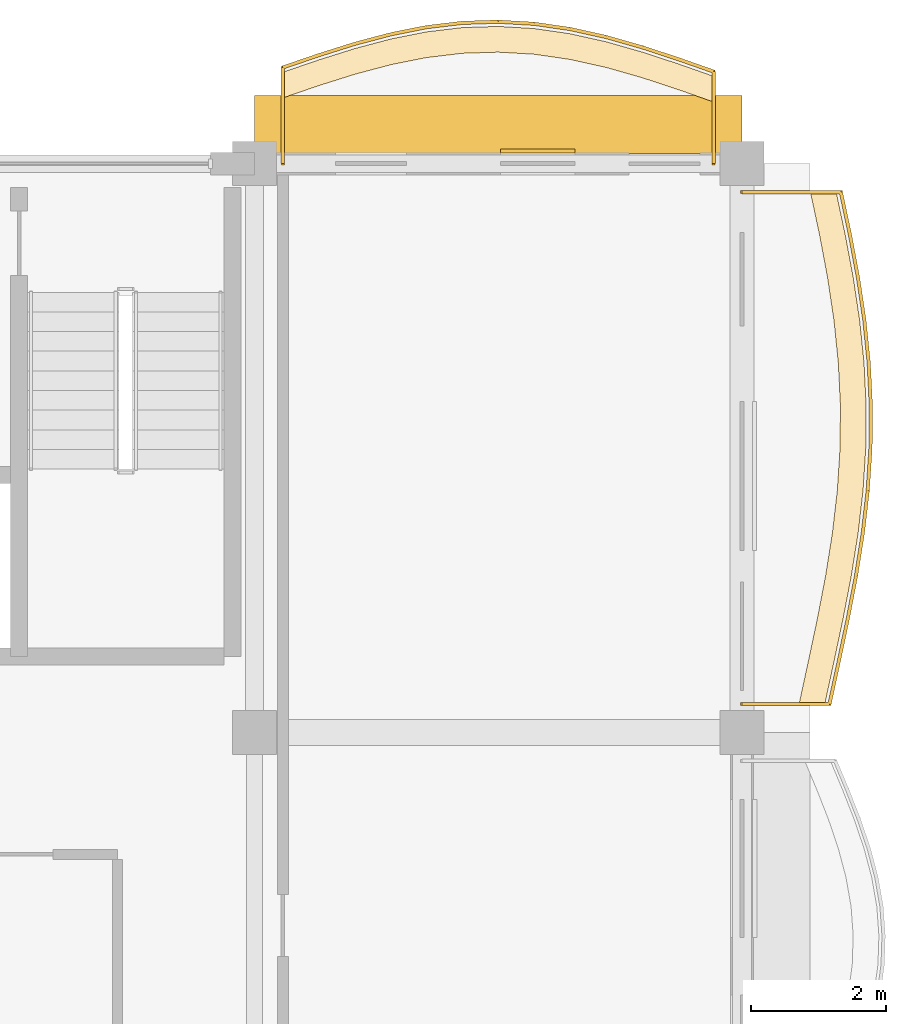
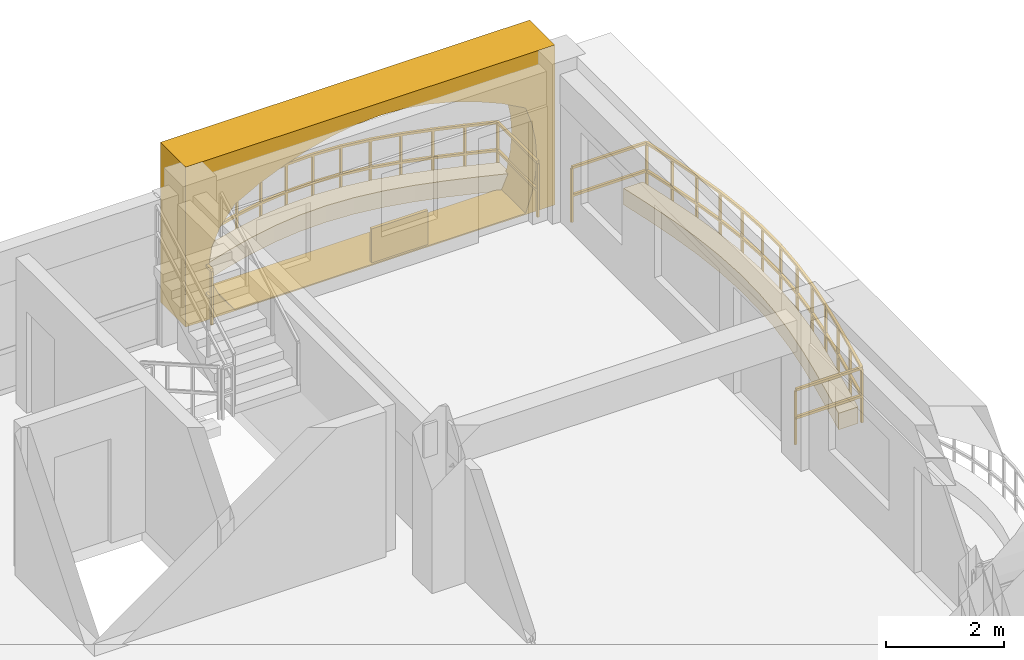
# One storey, part 70 of 70: 4 coverings, 2 railings.
"""IFC4 building model written with IfcOpenShell, lengths in metres."""

from ifc_helpers import new_model, si_unit, direction, frame, origin, origin_2d, place, context, subcontext, project, spatial, polyline, rectangle, outline, extrude, material, layer, layer_set, type_object, element, save


model = new_model("IFC4")

# Units and contexts
model_context = context("Model", 3, precision=1e-05, world=origin(), true_north=direction((0.0, 1.0)))
body_context = subcontext(model_context, "Body", "Model", "MODEL_VIEW")
ifc_project = project(units=[si_unit("LENGTHUNIT", "METRE"), si_unit("AREAUNIT", "SQUARE_METRE"), si_unit("VOLUMEUNIT", "CUBIC_METRE"), si_unit("PLANEANGLEUNIT", "RADIAN"), si_unit("MASSUNIT", "GRAM", prefix="KILO"), si_unit("THERMODYNAMICTEMPERATUREUNIT", "KELVIN")], contexts=[model_context])

# Site, building, storey
site_placement = place(None, origin())
site = spatial("IfcSite", under=ifc_project, at=site_placement, CompositionType="ELEMENT")
building_placement = place(site_placement, origin())
building = spatial("IfcBuilding", under=site, at=building_placement, Name="Thalorik Housing Commons", CompositionType="ELEMENT")
storey_placement = place(building_placement, frame((0.0, 0.0, 14.699951171875)))
storey = spatial("IfcBuildingStorey", under=building, at=storey_placement, Name="L04", CompositionType="ELEMENT", Elevation=14.699951171875)

# Coverings
ifc_material_1 = material(Name="Cobalt blue glazed ceramic facade tile panel", Category="masonry")
ifc_layer_1 = layer(ifc_material_1, 0.06005859375, Name="Cobalt blue glazed ceramic facade tile panel", Category="masonry")
ifc_layer_set_1 = layer_set([ifc_layer_1], Name="Cobalt blue glazed ceramic facade tile panel")
covering_type_1 = type_object("IfcCoveringType", Name="ARC-CLD-BLU-60", PredefinedType="CLADDING", material=ifc_layer_set_1)
covering_1_placement = place(storey_placement, frame((170.97998046875, 123.78759765625, 0.05029296875), z_axis=(0.0, 0.0, 1.0), x_axis=(-1.0, 0.0, 0.0)))
element("IfcCovering", 1, at=covering_1_placement, inside=storey, type_object=covering_type_1, Name="L04 De Stijl Recessed Window Spandrel 2013", PredefinedType="CLADDING", context=body_context, shape_type="SweptSolid", body=[
    extrude(rectangle(XDim=1.10009765625, YDim=0.06005859375, at=origin_2d()), origin(), (0.0, 0.0, 1.0), 0.699951171875),
])
ifc_material_2 = material(Name="Precast concrete C40/50", Category="concrete")
ifc_layer_2 = layer(ifc_material_2, 0.85009765625, Name="Precast concrete C40/50", Category="concrete")
ifc_layer_set_2 = layer_set([ifc_layer_2], Name="Precast concrete C40/50")
covering_type_2 = type_object("IfcCoveringType", Name="ARC-CLD-CUSH-850", PredefinedType="CLADDING", material=ifc_layer_set_2)
covering_2_placement = place(storey_placement, frame((170.39990234375, 124.177490234375, 0.0), z_axis=(0.0, 0.0, 1.0), x_axis=(-1.0, 0.0, 0.0)))
element("IfcCovering", 2, at=covering_2_placement, inside=storey, type_object=covering_type_2, Name="L04 White Precast Curved Cushion Bay Frame 2012", PredefinedType="CLADDING", context=body_context, shape_type="SweptSolid", body=[
    extrude(outline(polyline([(-3.60009765625, 0.0), (3.60009765625, 0.0), (3.60009765625, 3.300048828125), (-3.60009765625, 3.300048828125), (-3.60009765625, 0.0)]), holes=[polyline([(2.639892578125, 0.02490234375), (2.92333984375, 0.387451171875), (3.09326171875, 0.75), (3.14990234375, 1.112548828125), (3.09326171875, 1.47509765625), (2.92333984375, 1.83740234375), (2.639892578125, 2.199951171875), (2.16748046875, 2.455810546875), (1.695068359375, 2.656494140625), (1.222412109375, 2.819091796875), (0.75, 2.940185546875), (0.277587890625, 3.014892578125), (-0.195068359375, 3.0400390625), (-0.66748046875, 3.014892578125), (-1.139892578125, 2.940185546875), (-1.612548828125, 2.819091796875), (-2.0849609375, 2.656494140625), (-2.5576171875, 2.455810546875), (-3.030029296875, 2.199951171875), (-3.150390625, 1.83740234375), (-3.222412109375, 1.47509765625), (-3.24658203125, 1.112548828125), (-3.222412109375, 0.75), (-3.150390625, 0.387451171875), (-3.030029296875, 0.02490234375), (2.639892578125, 0.02490234375)])]), frame((0.0, 0.425048828125, 0.0), z_axis=(0.0, -1.0, 0.0), x_axis=(1.0, 0.0, 0.0)), (0.0, 0.0, 1.0), 0.85009765625),
])
ifc_material_3 = material(Name="Planted vegetated substrate and terracotta trough", Category="masonry")
ifc_layer_3 = layer(ifc_material_3, 0.340087890625, Name="Planted vegetated substrate and terracotta trough", Category="masonry")
ifc_layer_set_3 = layer_set([ifc_layer_3], Name="Planted vegetated substrate and terracotta trough")
covering_type_3 = type_object("IfcCoveringType", Name="ARC-COV-PLANTER", PredefinedType="USERDEFINED", material=ifc_layer_set_3)
covering_3_placement = place(storey_placement, origin())
element("IfcCovering", 3, at=covering_3_placement, inside=storey, type_object=covering_type_3, Name="L04 Balcony Slab-Edge Planted Trough 5461", ObjectType="PLANTER", PredefinedType="USERDEFINED", context=body_context, shape_type="SweptSolid", body=[
    extrude(outline(polyline([(173.580078125, 124.8896484375), (173.050048828125, 125.075439453125), (172.52001953125, 125.24951171875), (171.989990234375, 125.400390625), (171.4599609375, 125.51806640625), (170.929931640625, 125.594970703125), (170.39990234375, 125.6259765625), (169.8701171875, 125.609130859375), (169.340087890625, 125.545654296875), (168.81005859375, 125.439697265625), (168.280029296875, 125.298828125), (167.75, 125.1318359375), (167.219970703125, 124.9501953125), (167.219970703125, 124.5703125), (167.75, 124.751953125), (168.280029296875, 124.918701171875), (168.81005859375, 125.059814453125), (169.340087890625, 125.16552734375), (169.8701171875, 125.22900390625), (170.39990234375, 125.245849609375), (170.929931640625, 125.215087890625), (171.4599609375, 125.13818359375), (171.989990234375, 125.0205078125), (172.52001953125, 124.86962890625), (173.050048828125, 124.695556640625), (173.580078125, 124.509765625), (173.580078125, 124.8896484375)])), origin(), (0.0, 0.0, 1.0), 0.340087890625),
])
covering_4_placement = place(storey_placement, origin())
element("IfcCovering", 4, at=covering_4_placement, inside=storey, type_object=covering_type_3, Name="L04 Balcony Slab-Edge Planted Trough 5463", ObjectType="PLANTER", PredefinedType="USERDEFINED", context=body_context, shape_type="SweptSolid", body=[
    extrude(outline(polyline([(175.2216796875, 115.6201171875), (175.3583984375, 116.25), (175.49169921875, 116.8798828125), (175.61279296875, 117.510009765625), (175.71337890625, 118.139892578125), (175.786376953125, 118.77001953125), (175.826904296875, 119.39990234375), (175.83203125, 120.030029296875), (175.80126953125, 120.659912109375), (175.736328125, 121.2900390625), (175.641845703125, 121.919921875), (175.5234375, 122.550048828125), (175.389404296875, 123.179931640625), (175.009521484375, 123.179931640625), (175.1435546875, 122.550048828125), (175.26171875, 121.919921875), (175.3564453125, 121.2900390625), (175.421142578125, 120.659912109375), (175.451904296875, 120.030029296875), (175.447021484375, 119.39990234375), (175.40625, 118.77001953125), (175.333251953125, 118.139892578125), (175.23291015625, 117.510009765625), (175.11181640625, 116.8798828125), (174.978515625, 116.25), (174.841796875, 115.6201171875), (175.2216796875, 115.6201171875)])), origin(), (0.0, 0.0, 1.0), 0.340087890625),
])

# Railings
ifc_material_4 = material(Name="Steel S355", Category="steel")
railing_type = type_object("IfcRailingType", Name="ARC-RL-BAL-115", PredefinedType="BALUSTRADE", material=ifc_material_4)
railing_1_placement = place(storey_placement, frame((173.580078125, 123.60009765625, 0.0)))
element("IfcRailing", 5, at=railing_1_placement, inside=storey, type_object=railing_type, Name="L04 Cushion Balcony Guardrail 145", PredefinedType="BALUSTRADE", context=body_context, shape_type="SweptSolid", body=[
    extrude(rectangle(XDim=0.050048828125, YDim=0.050048828125, at=origin_2d()), frame((0.0, 0.0, 1.125), z_axis=(0.0, 1.0, 0.0), x_axis=(-1.0, 0.0, 0.0)), (0.0, 0.0, 1.0), 1.359619140625),
    extrude(rectangle(XDim=0.050048828125, YDim=0.050048828125, at=origin_2d()), frame((0.0, 0.0, 0.5498046875), z_axis=(0.0, 1.0, 0.0), x_axis=(-1.0, 0.0, 0.0)), (0.0, 0.0, 1.0), 1.359619140625),
    extrude(rectangle(XDim=0.050048828125, YDim=0.050048828125, at=origin_2d()), frame((0.0, 1.359619140625, 1.125), z_axis=(-0.943702384095, 0.330795722845, 0.0), x_axis=(-0.330795722845, -0.943702384095, 0.0)), (0.0, 0.0, 1.0), 0.561767578125),
    extrude(rectangle(XDim=0.050048828125, YDim=0.050048828125, at=origin_2d()), frame((0.0, 1.359619140625, 0.5498046875), z_axis=(-0.943702384095, 0.330795722845, 0.0), x_axis=(-0.330795722845, -0.943702384095, 0.0)), (0.0, 0.0, 1.0), 0.561767578125),
    extrude(rectangle(XDim=0.050048828125, YDim=0.050048828125, at=origin_2d()), frame((-0.530029296875, 1.54541015625, 1.125), z_axis=(-0.950074381788, 0.312023507239, 0.0), x_axis=(-0.312023507239, -0.950074381788, 0.0)), (0.0, 0.0, 1.0), 0.557861328125),
    extrude(rectangle(XDim=0.050048828125, YDim=0.050048828125, at=origin_2d()), frame((-0.530029296875, 1.54541015625, 0.5498046875), z_axis=(-0.950074381788, 0.312023507239, 0.0), x_axis=(-0.312023507239, -0.950074381788, 0.0)), (0.0, 0.0, 1.0), 0.557861328125),
    extrude(rectangle(XDim=0.050048828125, YDim=0.050048828125, at=origin_2d()), frame((-1.06005859375, 1.719482421875, 1.125), z_axis=(-0.96179097414, 0.273784809774, 0.0), x_axis=(-0.273784809774, -0.96179097414, 0.0)), (0.0, 0.0, 1.0), 0.551025390625),
    extrude(rectangle(XDim=0.050048828125, YDim=0.050048828125, at=origin_2d()), frame((-1.06005859375, 1.719482421875, 0.5498046875), z_axis=(-0.96179097414, 0.273784809774, 0.0), x_axis=(-0.273784809774, -0.96179097414, 0.0)), (0.0, 0.0, 1.0), 0.551025390625),
    extrude(rectangle(XDim=0.050048828125, YDim=0.050048828125, at=origin_2d()), frame((-1.590087890625, 1.870361328125, 1.125), z_axis=(-0.976229363306, 0.21674000604, 0.0), x_axis=(-0.21674000604, -0.976229363306, 0.0)), (0.0, 0.0, 1.0), 0.54296875),
    extrude(rectangle(XDim=0.050048828125, YDim=0.050048828125, at=origin_2d()), frame((-1.590087890625, 1.870361328125, 0.5498046875), z_axis=(-0.976229363306, 0.21674000604, 0.0), x_axis=(-0.21674000604, -0.976229363306, 0.0)), (0.0, 0.0, 1.0), 0.54296875),
    extrude(rectangle(XDim=0.050048828125, YDim=0.050048828125, at=origin_2d()), frame((-2.1201171875, 1.988037109375, 1.125), z_axis=(-0.989637141843, 0.14359083357, 0.0), x_axis=(-0.14359083357, -0.989637141843, 0.0)), (0.0, 0.0, 1.0), 0.53564453125),
    extrude(rectangle(XDim=0.050048828125, YDim=0.050048828125, at=origin_2d()), frame((-2.1201171875, 1.988037109375, 0.5498046875), z_axis=(-0.989637141843, 0.14359083357, 0.0), x_axis=(-0.14359083357, -0.989637141843, 0.0)), (0.0, 0.0, 1.0), 0.53564453125),
    extrude(rectangle(XDim=0.050048828125, YDim=0.050048828125, at=origin_2d()), frame((-2.650146484375, 2.06494140625, 1.125), z_axis=(-0.998320051434, 0.057940270143, 0.0), x_axis=(-0.057940270143, -0.998320051434, 0.0)), (0.0, 0.0, 1.0), 0.531005859375),
    extrude(rectangle(XDim=0.050048828125, YDim=0.050048828125, at=origin_2d()), frame((-2.650146484375, 2.06494140625, 0.5498046875), z_axis=(-0.998320051434, 0.057940270143, 0.0), x_axis=(-0.057940270143, -0.998320051434, 0.0)), (0.0, 0.0, 1.0), 0.531005859375),
    extrude(rectangle(XDim=0.050048828125, YDim=0.050048828125, at=origin_2d()), frame((-3.18017578125, 2.095703125, 1.125), z_axis=(-0.999509376148, -0.031321031142, 0.0), x_axis=(0.031321031142, -0.999509376148, 0.0)), (0.0, 0.0, 1.0), 0.530029296875),
    extrude(rectangle(XDim=0.050048828125, YDim=0.050048828125, at=origin_2d()), frame((-3.18017578125, 2.095703125, 0.5498046875), z_axis=(-0.999509376148, -0.031321031142, 0.0), x_axis=(0.031321031142, -0.999509376148, 0.0)), (0.0, 0.0, 1.0), 0.530029296875),
    extrude(rectangle(XDim=0.050048828125, YDim=0.050048828125, at=origin_2d()), frame((-3.7099609375, 2.0791015625, 1.125), z_axis=(-0.992850846969, -0.119361617254, 0.0), x_axis=(0.119361617254, -0.992850846969, 0.0)), (0.0, 0.0, 1.0), 0.533935546875),
    extrude(rectangle(XDim=0.050048828125, YDim=0.050048828125, at=origin_2d()), frame((-3.7099609375, 2.0791015625, 0.5498046875), z_axis=(-0.992850846969, -0.119361617254, 0.0), x_axis=(0.119361617254, -0.992850846969, 0.0)), (0.0, 0.0, 1.0), 0.533935546875),
    extrude(rectangle(XDim=0.050048828125, YDim=0.050048828125, at=origin_2d()), frame((-4.239990234375, 2.015380859375, 1.125), z_axis=(-0.980684780315, -0.195594891698, 0.0), x_axis=(0.195594891698, -0.980684780315, 0.0)), (0.0, 0.0, 1.0), 0.54052734375),
    extrude(rectangle(XDim=0.050048828125, YDim=0.050048828125, at=origin_2d()), frame((-4.239990234375, 2.015380859375, 0.5498046875), z_axis=(-0.980684780315, -0.195594891698, 0.0), x_axis=(0.195594891698, -0.980684780315, 0.0)), (0.0, 0.0, 1.0), 0.54052734375),
    extrude(rectangle(XDim=0.050048828125, YDim=0.050048828125, at=origin_2d()), frame((-4.77001953125, 1.90966796875, 1.125), z_axis=(-0.966448874835, -0.256859051488, 0.0), x_axis=(0.256859051488, -0.966448874835, 0.0)), (0.0, 0.0, 1.0), 0.54833984375),
    extrude(rectangle(XDim=0.050048828125, YDim=0.050048828125, at=origin_2d()), frame((-4.77001953125, 1.90966796875, 0.5498046875), z_axis=(-0.966448874835, -0.256859051488, 0.0), x_axis=(0.256859051488, -0.966448874835, 0.0)), (0.0, 0.0, 1.0), 0.54833984375),
    extrude(rectangle(XDim=0.050048828125, YDim=0.050048828125, at=origin_2d()), frame((-5.300048828125, 1.768798828125, 1.125), z_axis=(-0.953781648166, -0.300500528487, 0.0), x_axis=(0.300500528487, -0.953781648166, 0.0)), (0.0, 0.0, 1.0), 0.5556640625),
    extrude(rectangle(XDim=0.050048828125, YDim=0.050048828125, at=origin_2d()), frame((-5.300048828125, 1.768798828125, 0.5498046875), z_axis=(-0.953781648166, -0.300500528487, 0.0), x_axis=(0.300500528487, -0.953781648166, 0.0)), (0.0, 0.0, 1.0), 0.5556640625),
    extrude(rectangle(XDim=0.050048828125, YDim=0.050048828125, at=origin_2d()), frame((-5.830078125, 1.601806640625, 1.125), z_axis=(-0.945991770375, -0.324190638949, 0.0), x_axis=(0.324190638949, -0.945991770375, 0.0)), (0.0, 0.0, 1.0), 0.560302734375),
    extrude(rectangle(XDim=0.050048828125, YDim=0.050048828125, at=origin_2d()), frame((-5.830078125, 1.601806640625, 0.5498046875), z_axis=(-0.945991770375, -0.324190638949, 0.0), x_axis=(0.324190638949, -0.945991770375, 0.0)), (0.0, 0.0, 1.0), 0.560302734375),
    extrude(rectangle(XDim=0.050048828125, YDim=0.050048828125, at=origin_2d()), frame((-6.360107421875, 1.420166015625, 1.125), z_axis=(0.0, -1.0, 0.0), x_axis=(1.0, 0.0, 0.0)), (0.0, 0.0, 1.0), 1.420166015625),
    extrude(rectangle(XDim=0.050048828125, YDim=0.050048828125, at=origin_2d()), frame((-6.360107421875, 1.420166015625, 0.5498046875), z_axis=(0.0, -1.0, 0.0), x_axis=(1.0, 0.0, 0.0)), (0.0, 0.0, 1.0), 1.420166015625),
    extrude(rectangle(XDim=0.0419921875, YDim=0.0419921875, at=origin_2d()), origin(), (0.0, 0.0, 1.0), 1.099853515625),
    extrude(rectangle(XDim=0.0419921875, YDim=0.0419921875, at=origin_2d()), frame((0.0, 1.359619140625, 0.0)), (0.0, 0.0, 1.0), 1.099853515625),
    extrude(rectangle(XDim=0.0419921875, YDim=0.0419921875, at=origin_2d()), frame((-0.530029296875, 1.54541015625, 0.0)), (0.0, 0.0, 1.0), 1.099853515625),
    extrude(rectangle(XDim=0.0419921875, YDim=0.0419921875, at=origin_2d()), frame((-1.06005859375, 1.719482421875, 0.0)), (0.0, 0.0, 1.0), 1.099853515625),
    extrude(rectangle(XDim=0.0419921875, YDim=0.0419921875, at=origin_2d()), frame((-1.590087890625, 1.870361328125, 0.0)), (0.0, 0.0, 1.0), 1.099853515625),
    extrude(rectangle(XDim=0.0419921875, YDim=0.0419921875, at=origin_2d()), frame((-2.1201171875, 1.988037109375, 0.0)), (0.0, 0.0, 1.0), 1.099853515625),
    extrude(rectangle(XDim=0.0419921875, YDim=0.0419921875, at=origin_2d()), frame((-2.650146484375, 2.06494140625, 0.0)), (0.0, 0.0, 1.0), 1.099853515625),
    extrude(rectangle(XDim=0.0419921875, YDim=0.0419921875, at=origin_2d()), frame((-3.18017578125, 2.095703125, 0.0)), (0.0, 0.0, 1.0), 1.099853515625),
    extrude(rectangle(XDim=0.0419921875, YDim=0.0419921875, at=origin_2d()), frame((-3.7099609375, 2.0791015625, 0.0)), (0.0, 0.0, 1.0), 1.099853515625),
    extrude(rectangle(XDim=0.0419921875, YDim=0.0419921875, at=origin_2d()), frame((-4.239990234375, 2.015380859375, 0.0)), (0.0, 0.0, 1.0), 1.099853515625),
    extrude(rectangle(XDim=0.0419921875, YDim=0.0419921875, at=origin_2d()), frame((-4.77001953125, 1.90966796875, 0.0)), (0.0, 0.0, 1.0), 1.099853515625),
    extrude(rectangle(XDim=0.0419921875, YDim=0.0419921875, at=origin_2d()), frame((-5.300048828125, 1.768798828125, 0.0)), (0.0, 0.0, 1.0), 1.099853515625),
    extrude(rectangle(XDim=0.0419921875, YDim=0.0419921875, at=origin_2d()), frame((-5.830078125, 1.601806640625, 0.0)), (0.0, 0.0, 1.0), 1.099853515625),
    extrude(rectangle(XDim=0.0419921875, YDim=0.0419921875, at=origin_2d()), frame((-6.360107421875, 1.420166015625, 0.0)), (0.0, 0.0, 1.0), 1.099853515625),
    extrude(rectangle(XDim=0.0419921875, YDim=0.0419921875, at=origin_2d()), frame((-6.360107421875, 0.0, 0.0)), (0.0, 0.0, 1.0), 1.099853515625),
])
railing_2_placement = place(storey_placement, frame((174.0, 115.6201171875, 0.0)))
element("IfcRailing", 6, at=railing_2_placement, inside=storey, type_object=railing_type, Name="L04 Cushion Balcony Guardrail 147", PredefinedType="BALUSTRADE", context=body_context, shape_type="SweptSolid", body=[
    extrude(rectangle(XDim=0.050048828125, YDim=0.050048828125, at=origin_2d()), frame((0.0, 0.0, 1.125), z_axis=(1.0, 0.0, 0.0), x_axis=(0.0, 1.0, 0.0)), (0.0, 0.0, 1.0), 1.291748046875),
    extrude(rectangle(XDim=0.050048828125, YDim=0.050048828125, at=origin_2d()), frame((0.0, 0.0, 0.5498046875), z_axis=(1.0, 0.0, 0.0), x_axis=(0.0, 1.0, 0.0)), (0.0, 0.0, 1.0), 1.291748046875),
    extrude(rectangle(XDim=0.050048828125, YDim=0.050048828125, at=origin_2d()), frame((1.291748046875, 0.0, 1.125), z_axis=(0.212115125342, 0.977244684611, 0.0), x_axis=(-0.977244684611, 0.212115125342, 0.0)), (0.0, 0.0, 1.0), 0.64453125),
    extrude(rectangle(XDim=0.050048828125, YDim=0.050048828125, at=origin_2d()), frame((1.291748046875, 0.0, 0.5498046875), z_axis=(0.212115125342, 0.977244684611, 0.0), x_axis=(-0.977244684611, 0.212115125342, 0.0)), (0.0, 0.0, 1.0), 0.64453125),
    extrude(rectangle(XDim=0.050048828125, YDim=0.050048828125, at=origin_2d()), frame((1.428466796875, 0.6298828125, 1.125), z_axis=(0.207042349517, 0.978331981235, 0.0), x_axis=(-0.978331981235, 0.207042349517, 0.0)), (0.0, 0.0, 1.0), 0.643798828125),
    extrude(rectangle(XDim=0.050048828125, YDim=0.050048828125, at=origin_2d()), frame((1.428466796875, 0.6298828125, 0.5498046875), z_axis=(0.207042349517, 0.978331981235, 0.0), x_axis=(-0.978331981235, 0.207042349517, 0.0)), (0.0, 0.0, 1.0), 0.643798828125),
    extrude(rectangle(XDim=0.050048828125, YDim=0.050048828125, at=origin_2d()), frame((1.561767578125, 1.259765625, 1.125), z_axis=(0.188720382932, 0.982030863602, 0.0), x_axis=(-0.982030863602, 0.188720382932, 0.0)), (0.0, 0.0, 1.0), 0.6416015625),
    extrude(rectangle(XDim=0.050048828125, YDim=0.050048828125, at=origin_2d()), frame((1.561767578125, 1.259765625, 0.5498046875), z_axis=(0.188720382932, 0.982030863602, 0.0), x_axis=(-0.982030863602, 0.188720382932, 0.0)), (0.0, 0.0, 1.0), 0.6416015625),
    extrude(rectangle(XDim=0.050048828125, YDim=0.050048828125, at=origin_2d()), frame((1.682861328125, 1.889892578125, 1.125), z_axis=(0.157318675445, 0.987547889652, 0.0), x_axis=(-0.987547889652, 0.157318675445, 0.0)), (0.0, 0.0, 1.0), 0.637939453125),
    extrude(rectangle(XDim=0.050048828125, YDim=0.050048828125, at=origin_2d()), frame((1.682861328125, 1.889892578125, 0.5498046875), z_axis=(0.157318675445, 0.987547889652, 0.0), x_axis=(-0.987547889652, 0.157318675445, 0.0)), (0.0, 0.0, 1.0), 0.637939453125),
    extrude(rectangle(XDim=0.050048828125, YDim=0.050048828125, at=origin_2d()), frame((1.783203125, 2.519775390625, 1.125), z_axis=(0.115076953652, 0.993356579853, 0.0), x_axis=(-0.993356579853, 0.115076953652, 0.0)), (0.0, 0.0, 1.0), 0.63427734375),
    extrude(rectangle(XDim=0.050048828125, YDim=0.050048828125, at=origin_2d()), frame((1.783203125, 2.519775390625, 0.5498046875), z_axis=(0.115076953652, 0.993356579853, 0.0), x_axis=(-0.993356579853, 0.115076953652, 0.0)), (0.0, 0.0, 1.0), 0.63427734375),
    extrude(rectangle(XDim=0.050048828125, YDim=0.050048828125, at=origin_2d()), frame((1.856201171875, 3.14990234375, 1.125), z_axis=(0.064593506601, 0.997911658868, 0.0), x_axis=(-0.997911658868, 0.064593506601, 0.0)), (0.0, 0.0, 1.0), 0.631103515625),
    extrude(rectangle(XDim=0.050048828125, YDim=0.050048828125, at=origin_2d()), frame((1.856201171875, 3.14990234375, 0.5498046875), z_axis=(0.064593506601, 0.997911658868, 0.0), x_axis=(-0.997911658868, 0.064593506601, 0.0)), (0.0, 0.0, 1.0), 0.631103515625),
    extrude(rectangle(XDim=0.050048828125, YDim=0.050048828125, at=origin_2d()), frame((1.89697265625, 3.77978515625, 1.125), z_axis=(0.008136111944, 0.999966901293, 0.0), x_axis=(-0.999966901293, 0.008136111944, 0.0)), (0.0, 0.0, 1.0), 0.630126953125),
    extrude(rectangle(XDim=0.050048828125, YDim=0.050048828125, at=origin_2d()), frame((1.89697265625, 3.77978515625, 0.5498046875), z_axis=(0.008136111944, 0.999966901293, 0.0), x_axis=(-0.999966901293, 0.008136111944, 0.0)), (0.0, 0.0, 1.0), 0.630126953125),
    extrude(rectangle(XDim=0.050048828125, YDim=0.050048828125, at=origin_2d()), frame((1.902099609375, 4.409912109375, 1.125), z_axis=(-0.049165276504, 0.998790656537, 0.0), x_axis=(-0.998790656537, -0.049165276504, 0.0)), (0.0, 0.0, 1.0), 0.630615234375),
    extrude(rectangle(XDim=0.050048828125, YDim=0.050048828125, at=origin_2d()), frame((1.902099609375, 4.409912109375, 0.5498046875), z_axis=(-0.049165276504, 0.998790656537, 0.0), x_axis=(-0.998790656537, -0.049165276504, 0.0)), (0.0, 0.0, 1.0), 0.630615234375),
    extrude(rectangle(XDim=0.050048828125, YDim=0.050048828125, at=origin_2d()), frame((1.87109375, 5.039794921875, 1.125), z_axis=(-0.102136441616, 0.994770399285, 0.0), x_axis=(-0.994770399285, -0.102136441616, 0.0)), (0.0, 0.0, 1.0), 0.633544921875),
    extrude(rectangle(XDim=0.050048828125, YDim=0.050048828125, at=origin_2d()), frame((1.87109375, 5.039794921875, 0.5498046875), z_axis=(-0.102136441616, 0.994770399285, 0.0), x_axis=(-0.994770399285, -0.102136441616, 0.0)), (0.0, 0.0, 1.0), 0.633544921875),
    extrude(rectangle(XDim=0.050048828125, YDim=0.050048828125, at=origin_2d()), frame((1.806396484375, 5.669921875, 1.125), z_axis=(-0.14834045293, 0.988936352868, 0.0), x_axis=(-0.988936352868, -0.14834045293, 0.0)), (0.0, 0.0, 1.0), 0.636962890625),
    extrude(rectangle(XDim=0.050048828125, YDim=0.050048828125, at=origin_2d()), frame((1.806396484375, 5.669921875, 0.5498046875), z_axis=(-0.14834045293, 0.988936352868, 0.0), x_axis=(-0.988936352868, -0.14834045293, 0.0)), (0.0, 0.0, 1.0), 0.636962890625),
    extrude(rectangle(XDim=0.050048828125, YDim=0.050048828125, at=origin_2d()), frame((1.7119140625, 6.2998046875, 1.125), z_axis=(-0.184679361065, 0.982798826615, 0.0), x_axis=(-0.982798826615, -0.184679361065, 0.0)), (0.0, 0.0, 1.0), 0.64111328125),
    extrude(rectangle(XDim=0.050048828125, YDim=0.050048828125, at=origin_2d()), frame((1.7119140625, 6.2998046875, 0.5498046875), z_axis=(-0.184679361065, 0.982798826615, 0.0), x_axis=(-0.982798826615, -0.184679361065, 0.0)), (0.0, 0.0, 1.0), 0.64111328125),
    extrude(rectangle(XDim=0.050048828125, YDim=0.050048828125, at=origin_2d()), frame((1.593505859375, 6.929931640625, 1.125), z_axis=(-0.208130794843, 0.978101003086, 0.0), x_axis=(-0.978101003086, -0.208130794843, 0.0)), (0.0, 0.0, 1.0), 0.64404296875),
    extrude(rectangle(XDim=0.050048828125, YDim=0.050048828125, at=origin_2d()), frame((1.593505859375, 6.929931640625, 0.5498046875), z_axis=(-0.208130794843, 0.978101003086, 0.0), x_axis=(-0.978101003086, -0.208130794843, 0.0)), (0.0, 0.0, 1.0), 0.64404296875),
    extrude(rectangle(XDim=0.050048828125, YDim=0.050048828125, at=origin_2d()), frame((1.45947265625, 7.559814453125, 1.125), z_axis=(-1.0, 0.0, 0.0), x_axis=(0.0, -1.0, 0.0)), (0.0, 0.0, 1.0), 1.45947265625),
    extrude(rectangle(XDim=0.050048828125, YDim=0.050048828125, at=origin_2d()), frame((1.45947265625, 7.559814453125, 0.5498046875), z_axis=(-1.0, 0.0, 0.0), x_axis=(0.0, -1.0, 0.0)), (0.0, 0.0, 1.0), 1.45947265625),
    extrude(rectangle(XDim=0.0419921875, YDim=0.0419921875, at=origin_2d()), origin(), (0.0, 0.0, 1.0), 1.099853515625),
    extrude(rectangle(XDim=0.0419921875, YDim=0.0419921875, at=origin_2d()), frame((1.291748046875, 0.0, 0.0)), (0.0, 0.0, 1.0), 1.099853515625),
    extrude(rectangle(XDim=0.0419921875, YDim=0.0419921875, at=origin_2d()), frame((1.428466796875, 0.6298828125, 0.0)), (0.0, 0.0, 1.0), 1.099853515625),
    extrude(rectangle(XDim=0.0419921875, YDim=0.0419921875, at=origin_2d()), frame((1.561767578125, 1.259765625, 0.0)), (0.0, 0.0, 1.0), 1.099853515625),
    extrude(rectangle(XDim=0.0419921875, YDim=0.0419921875, at=origin_2d()), frame((1.682861328125, 1.889892578125, 0.0)), (0.0, 0.0, 1.0), 1.099853515625),
    extrude(rectangle(XDim=0.0419921875, YDim=0.0419921875, at=origin_2d()), frame((1.783203125, 2.519775390625, 0.0)), (0.0, 0.0, 1.0), 1.099853515625),
    extrude(rectangle(XDim=0.0419921875, YDim=0.0419921875, at=origin_2d()), frame((1.856201171875, 3.14990234375, 0.0)), (0.0, 0.0, 1.0), 1.099853515625),
    extrude(rectangle(XDim=0.0419921875, YDim=0.0419921875, at=origin_2d()), frame((1.89697265625, 3.77978515625, 0.0)), (0.0, 0.0, 1.0), 1.099853515625),
    extrude(rectangle(XDim=0.0419921875, YDim=0.0419921875, at=origin_2d()), frame((1.902099609375, 4.409912109375, 0.0)), (0.0, 0.0, 1.0), 1.099853515625),
    extrude(rectangle(XDim=0.0419921875, YDim=0.0419921875, at=origin_2d()), frame((1.87109375, 5.039794921875, 0.0)), (0.0, 0.0, 1.0), 1.099853515625),
    extrude(rectangle(XDim=0.0419921875, YDim=0.0419921875, at=origin_2d()), frame((1.806396484375, 5.669921875, 0.0)), (0.0, 0.0, 1.0), 1.099853515625),
    extrude(rectangle(XDim=0.0419921875, YDim=0.0419921875, at=origin_2d()), frame((1.7119140625, 6.2998046875, 0.0)), (0.0, 0.0, 1.0), 1.099853515625),
    extrude(rectangle(XDim=0.0419921875, YDim=0.0419921875, at=origin_2d()), frame((1.593505859375, 6.929931640625, 0.0)), (0.0, 0.0, 1.0), 1.099853515625),
    extrude(rectangle(XDim=0.0419921875, YDim=0.0419921875, at=origin_2d()), frame((1.45947265625, 7.559814453125, 0.0)), (0.0, 0.0, 1.0), 1.099853515625),
    extrude(rectangle(XDim=0.0419921875, YDim=0.0419921875, at=origin_2d()), frame((0.0, 7.559814453125, 0.0)), (0.0, 0.0, 1.0), 1.099853515625),
])

save(model, "model.ifc")
